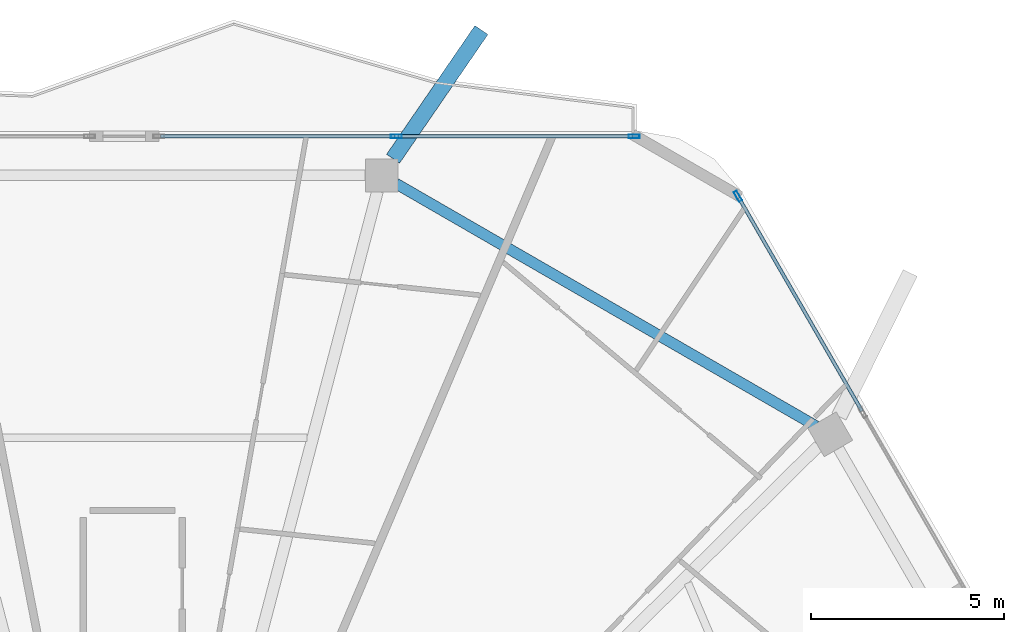
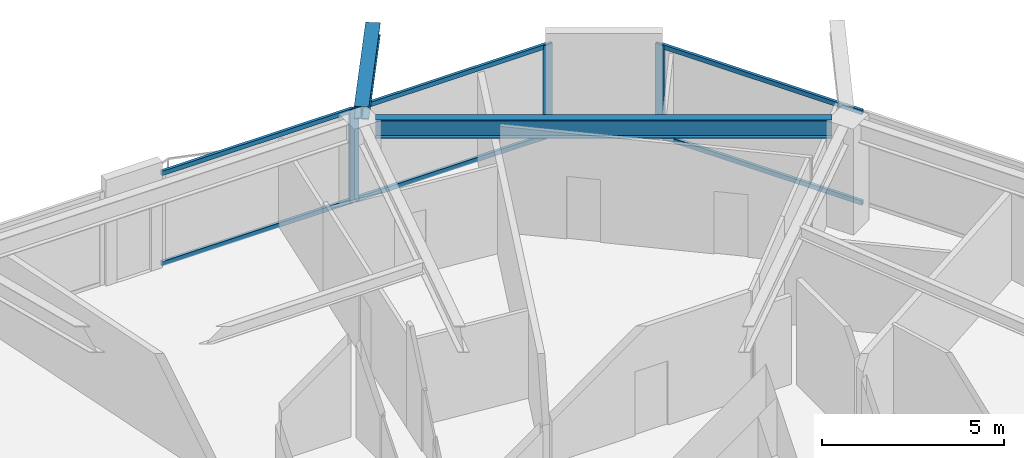
# One storey, part 17 of 26: 9 members, 2 beams, 2 elements without a shape of their own.
"""IFC4 building model written with IfcOpenShell, lengths in metres."""

import ifcopenshell
import ifcopenshell.guid

model = None  # the IFC model being written
_history = None  # IfcOwnerHistory: only IFC2X3 demands one
_inside = {}  # id of a spatial element -> (the spatial element, [elements in it])
_under = {}  # id of a project, library or spatial element -> (it, [spatial elements below it])
_declared = {}  # id of a project -> (the project, [libraries it declares])
_typed = {}  # id of a type object -> (the type object, [elements of that type])
_made_of = {}  # id of a material, layer set ... -> (it, [elements and type objects made of it])


def new_model(schema):
    """Start an empty IFC model of exactly this schema.

    Asked for "IFC4X3", IfcOpenShell would pick the latest addendum, in which some entities
    have other attributes; the version numbers below select the first issue.
    IFC2X3 requires an IfcOwnerHistory on every rooted entity: one is made here for all.
    """
    global model, _history
    if schema == "IFC4X3":
        model = ifcopenshell.file(schema_version=(4, 3, 0, 0))
    else:
        model = ifcopenshell.file(schema=schema)
    _inside.clear()
    _under.clear()
    _declared.clear()
    _typed.clear()
    _made_of.clear()
    _history = None
    if model.schema == "IFC2X3":
        org = make("IfcOrganization", Name="unknown")
        user = make(
            "IfcPersonAndOrganization",
            ThePerson=make("IfcPerson", FamilyName="unknown"),
            TheOrganization=org,
        )
        app = make(
            "IfcApplication",
            ApplicationDeveloper=org,
            Version="unknown",
            ApplicationFullName="unknown",
            ApplicationIdentifier="unknown",
        )
        _history = make(
            "IfcOwnerHistory",
            OwningUser=user,
            OwningApplication=app,
            ChangeAction="ADDED",
            CreationDate=0,
        )
    return model


def make(cls, **values):
    """One entity of the class cls with the attributes given. An attribute that is None is left unset."""
    return model.create_entity(
        cls, **{name: value for name, value in values.items() if value is not None}
    )


def rooted(cls, **values):
    """An entity with a GlobalId (a new one), such as an element, a storey or a relation."""
    return make(cls, GlobalId=ifcopenshell.guid.new(), OwnerHistory=_history, **values)


def si_unit(unit_type, name, prefix=None):
    """IfcSIUnit, for example si_unit("LENGTHUNIT", "METRE", prefix="MILLI")."""
    return make("IfcSIUnit", UnitType=unit_type, Prefix=prefix, Name=name)


def assignment(units):
    """IfcUnitAssignment: the units of a project."""
    return None if units is None else make("IfcUnitAssignment", Units=units)


def point(xyz):
    """IfcCartesianPoint."""
    return None if xyz is None else make("IfcCartesianPoint", Coordinates=xyz)


def direction(xyz):
    """IfcDirection."""
    return None if xyz is None else make("IfcDirection", DirectionRatios=xyz)


def frame(location, z_axis=None, x_axis=None):
    """IfcAxis2Placement3D, a coordinate frame: its origin and axes. An axis left out is left unset."""
    return make(
        "IfcAxis2Placement3D",
        Location=point(location),
        Axis=direction(z_axis),
        RefDirection=direction(x_axis),
    )


def frame_2d(location, x_axis=None):
    """IfcAxis2Placement2D, a coordinate frame in the plane: its origin and x axis."""
    return make(
        "IfcAxis2Placement2D", Location=point(location), RefDirection=direction(x_axis)
    )


def origin():
    """The frame at (0, 0, 0) with its axes left unset."""
    return frame((0.0, 0.0, 0.0))


def origin_2d():
    """The frame at (0, 0) in the plane with its x axis left unset."""
    return frame_2d((0.0, 0.0))


def place(relative_to, where):
    """IfcLocalPlacement: puts the frame where relative to a parent placement (None: the world)."""
    return make(
        "IfcLocalPlacement", PlacementRelTo=relative_to, RelativePlacement=where
    )


def context(
    kind, dimensions, precision=None, world=None, true_north=None, identifier=None
):
    """IfcGeometricRepresentationContext, for example the 3D "Model" context."""
    return make(
        "IfcGeometricRepresentationContext",
        ContextIdentifier=identifier,
        ContextType=kind,
        CoordinateSpaceDimension=dimensions,
        Precision=precision,
        WorldCoordinateSystem=world,
        TrueNorth=true_north,
    )


def subcontext(parent, identifier, kind, view, scale=None):
    """IfcGeometricRepresentationSubContext, for example "Body" below "Model"."""
    return make(
        "IfcGeometricRepresentationSubContext",
        ContextIdentifier=identifier,
        ContextType=kind,
        ParentContext=parent,
        TargetScale=scale,
        TargetView=view,
    )


def project(units=None, contexts=None):
    """IfcProject with its units and contexts."""
    return rooted(
        "IfcProject",
        Name="project",
        RepresentationContexts=contexts,
        UnitsInContext=assignment(units),
    )


def spatial(cls, under=None, at=None, **own):
    """A site, building, storey or space (cls), placed at a placement, below another one or the project."""
    s = rooted(cls, ObjectPlacement=at, **own)
    if under is not None:
        _under.setdefault(under.id(), (under, []))[1].append(s)
    return s


def profile(cls, at=None, kind="AREA", **sizes):
    """A parametric profile (cls). Its sizes go by their IFC names, for example OverallWidth=200.0."""
    return make(cls, ProfileType=kind, Position=at, **sizes)


def hollow_rectangle(**sizes):
    """IfcRectangleHollowProfileDef."""
    return profile("IfcRectangleHollowProfileDef", **sizes)


def i_section(**sizes):
    """IfcIShapeProfileDef."""
    return profile("IfcIShapeProfileDef", **sizes)


def extrude(swept, where, along, depth):
    """IfcExtrudedAreaSolid: the profile swept, set in the frame where, extruded along a direction by depth."""
    return make(
        "IfcExtrudedAreaSolid",
        SweptArea=swept,
        Position=where,
        ExtrudedDirection=direction(along),
        Depth=depth,
    )


def shape(context_of_items, identifier, shape_type, items):
    """IfcShapeRepresentation: the items that make up one representation, for example the "Body"."""
    return make(
        "IfcShapeRepresentation",
        ContextOfItems=context_of_items,
        RepresentationIdentifier=identifier,
        RepresentationType=shape_type,
        Items=items,
    )


def material(Name=None, Category=None):
    """IfcMaterial."""
    return make("IfcMaterial", Name=Name, Category=Category)


def material_profile(
    of_material, cross_section, Name=None, Category=None, Priority=None
):
    """IfcMaterialProfile: a cross section and its material."""
    return make(
        "IfcMaterialProfile",
        Name=Name,
        Material=of_material,
        Profile=cross_section,
        Priority=Priority,
        Category=Category,
    )


def profile_set(profiles, Name=None, composite=None):
    """IfcMaterialProfileSet."""
    return make(
        "IfcMaterialProfileSet",
        Name=Name,
        MaterialProfiles=profiles,
        CompositeProfile=composite,
    )


def made_of(thing, what):
    """Note that an element or type object is made of a material, layer set ...; save() writes the relation."""
    if what is not None:
        _made_of.setdefault(what.id(), (what, []))[1].append(thing)
    return thing


def type_object(cls, material=None, **own):
    """A type object (cls), such as IfcWallType, which elements share."""
    return made_of(rooted(cls, **own), material)


def element(
    cls,
    number,
    at=None,
    inside=None,
    cuts=None,
    type_object=None,
    material=None,
    context=None,
    identifier="Body",
    shape_type=None,
    held_by="IfcProductDefinitionShape",
    body=None,
    shapes=None,
    **own,
):
    """One element of the class cls, such as IfcWall. Its Tag is "e" and its number.

    at: its placement. inside: the storey or other place that contains it. cuts: it is an
    opening in that element (IfcRelVoidsElement). A single representation is given by context,
    identifier, shape_type and body (its items); several are given by shapes. held_by: the class
    of the entity that holds the representations. save() writes the other relations.
    """
    e = rooted(cls, Tag="e%d" % number, ObjectPlacement=at, **own)
    if body is not None:
        shapes = [shape(context, identifier, shape_type, body)]
    if shapes is not None:
        e.Representation = make(held_by, Representations=shapes)
    if inside is not None:
        _inside.setdefault(inside.id(), (inside, []))[1].append(e)
    if cuts is not None:
        rooted(
            "IfcRelVoidsElement", RelatingBuildingElement=cuts, RelatedOpeningElement=e
        )
    if type_object is not None:
        _typed.setdefault(type_object.id(), (type_object, []))[1].append(e)
    return made_of(e, material)


def aggregate(whole, parts):
    """IfcRelAggregates: a whole, such as a stair, and the parts it consists of."""
    return rooted("IfcRelAggregates", RelatingObject=whole, RelatedObjects=parts)


def save(model, path):
    """Write the relations noted so far, then the file.

    IfcRelAggregates (storeys below a building ...), IfcRelContainedInSpatialStructure (elements
    in a storey), IfcRelDefinesByType, IfcRelAssociatesMaterial and IfcRelDeclares: one each for
    every whole, place, type object, material and project.
    """
    for whole, parts in _under.values():
        aggregate(whole, parts)
    for where, things in _inside.values():
        rooted(
            "IfcRelContainedInSpatialStructure",
            RelatedElements=things,
            RelatingStructure=where,
        )
    for kind, things in _typed.values():
        rooted("IfcRelDefinesByType", RelatedObjects=things, RelatingType=kind)
    for what, things in _made_of.values():
        rooted("IfcRelAssociatesMaterial", RelatedObjects=things, RelatingMaterial=what)
    for by, libraries in _declared.values():
        rooted("IfcRelDeclares", RelatingContext=by, RelatedDefinitions=libraries)
    model.write(path)


model = new_model("IFC4")

# Units and contexts
model_context = context("Model", 3, precision=1e-05, world=origin(), true_north=direction((0.0, 1.0)))
body_context = subcontext(model_context, "Body", "Model", "MODEL_VIEW")
ifc_project = project(units=[si_unit("LENGTHUNIT", "METRE"), si_unit("AREAUNIT", "SQUARE_METRE"), si_unit("VOLUMEUNIT", "CUBIC_METRE"), si_unit("PLANEANGLEUNIT", "RADIAN"), si_unit("MASSUNIT", "GRAM", prefix="KILO")], contexts=[model_context])

# Site, building, storey
site_placement = place(None, origin())
site = spatial("IfcSite", under=ifc_project, at=site_placement, CompositionType="ELEMENT")
building_placement = place(site_placement, origin())
building = spatial("IfcBuilding", under=site, at=building_placement, Name="Zuhravey Tower", CompositionType="ELEMENT")
storey_placement = place(building_placement, frame((0.0, 0.0, 288.199951171875)))
storey = spatial("IfcBuildingStorey", under=building, at=storey_placement, Name="L73", CompositionType="ELEMENT", Elevation=288.199951171875)

# Curtain wall, members
ifc_material_1 = material(Name="Thermally broken anodised aluminium", Category="aluminium")
curtain_wall_type = type_object("IfcCurtainWallType", Name="Zone 3-4 High-Rise Curtain Wall CW4", PredefinedType="NOTDEFINED", material=ifc_material_1)
curtain_wall_1_placement = place(storey_placement, origin())
curtain_wall_1 = element("IfcCurtainWall", 1, at=curtain_wall_1_placement, inside=storey, type_object=curtain_wall_type, Name="L73 CW4 CW-L73-F2-2", PredefinedType="NOTDEFINED")
ifc_material_2 = material(Name="Anodised aluminium", Category="aluminium")
ifc_material_profile_1 = material_profile(ifc_material_2, hollow_rectangle(XDim=0.090087890625, YDim=0.284912109375, WallThickness=0.0048828125, at=origin_2d()), Name="ALU-RHS-90x285x5")
ifc_profile_set_1 = profile_set([ifc_material_profile_1], Name="Anodised aluminium")
member_type_1 = type_object("IfcMemberType", Name="Curtain-Wall Mullion 90x180", PredefinedType="MULLION", material=ifc_profile_set_1)
member_1_placement = place(storey_placement, frame((42.822021484375, 57.563720703125, 0.0), z_axis=(0.0, 0.0, 1.0), x_axis=(0.0, 1.0, 0.0)))
member_1 = element("IfcMember", 2, at=member_1_placement, type_object=member_type_1, Name="CW4 mullion 2", PredefinedType="MULLION", context=body_context, shape_type="SweptSolid", body=[
    extrude(hollow_rectangle(XDim=0.090087890625, YDim=0.284912109375, WallThickness=0.0048828125, at=origin_2d()), origin(), (0.0, 0.0, 1.0), 3.1220703125),
])
member_2_placement = place(storey_placement, frame((48.9677734375, 57.563720703125, 0.0), z_axis=(0.0, 0.0, 1.0), x_axis=(0.0, 1.0, 0.0)))
member_2 = element("IfcMember", 3, at=member_2_placement, type_object=member_type_1, Name="CW4 mullion 3", PredefinedType="MULLION", context=body_context, shape_type="SweptSolid", body=[
    extrude(hollow_rectangle(XDim=0.090087890625, YDim=0.284912109375, WallThickness=0.0048828125, at=origin_2d()), origin(), (0.0, 0.0, 1.0), 3.1220703125),
])

# Curtain wall, member
curtain_wall_2_placement = place(storey_placement, origin())
curtain_wall_2 = element("IfcCurtainWall", 4, at=curtain_wall_2_placement, inside=storey, type_object=curtain_wall_type, Name="L73 CW4 CW-L73-F1-1", PredefinedType="NOTDEFINED")
member_3_placement = place(storey_placement, frame((51.65478515625, 56.01220703125, 0.0), z_axis=(0.0, 0.0, 1.0), x_axis=(0.866024851021, 0.500000957414, 0.0)))
member_3 = element("IfcMember", 5, at=member_3_placement, type_object=member_type_1, Name="CW4 mullion 1", PredefinedType="MULLION", context=body_context, shape_type="SweptSolid", body=[
    extrude(hollow_rectangle(XDim=0.090087890625, YDim=0.284912109375, WallThickness=0.0048828125, at=origin_2d()), origin(), (0.0, 0.0, 1.0), 3.1220703125),
])

# Member
ifc_material_profile_2 = material_profile(ifc_material_2, hollow_rectangle(XDim=0.090087890625, YDim=0.14990234375, WallThickness=0.0048828125, at=origin_2d()), Name="ALU-RHS-90x150x5")
ifc_profile_set_2 = profile_set([ifc_material_profile_2], Name="Anodised aluminium")
member_type_2 = type_object("IfcMemberType", Name="Curtain-Wall Transom 90x150", PredefinedType="USERDEFINED", material=ifc_profile_set_2)
member_4_placement = place(storey_placement, frame((36.72119140625, 57.563720703125, 0.045166015625), z_axis=(1.0, 0.0, 0.0), x_axis=(0.0, 1.0, 0.0)))
member_4 = element("IfcMember", 6, at=member_4_placement, type_object=member_type_2, Name="CW4 transom 1.1", ObjectType="TRANSOM", PredefinedType="USERDEFINED", context=body_context, shape_type="SweptSolid", body=[
    extrude(hollow_rectangle(XDim=0.090087890625, YDim=0.14990234375, WallThickness=0.0048828125, at=origin_2d()), origin(), (0.0, 0.0, 1.0), 6.0556640625),
])

member_5_placement = place(storey_placement, frame((36.72119140625, 57.563720703125, 3.0771484375), z_axis=(1.0, 0.0, 0.0), x_axis=(0.0, 1.0, 0.0)))
member_5 = element("IfcMember", 7, at=member_5_placement, type_object=member_type_2, Name="CW4 transom 1.2", ObjectType="TRANSOM", PredefinedType="USERDEFINED", context=body_context, shape_type="SweptSolid", body=[
    extrude(hollow_rectangle(XDim=0.090087890625, YDim=0.14990234375, WallThickness=0.0048828125, at=origin_2d()), origin(), (0.0, 0.0, 1.0), 6.0556640625),
])

member_6_placement = place(storey_placement, frame((42.866943359375, 57.563720703125, 0.045166015625), z_axis=(1.0, 0.0, 0.0), x_axis=(0.0, 1.0, 0.0)))
member_6 = element("IfcMember", 8, at=member_6_placement, type_object=member_type_2, Name="CW4 transom 2.1", ObjectType="TRANSOM", PredefinedType="USERDEFINED", context=body_context, shape_type="SweptSolid", body=[
    extrude(hollow_rectangle(XDim=0.090087890625, YDim=0.14990234375, WallThickness=0.0048828125, at=origin_2d()), origin(), (0.0, 0.0, 1.0), 6.0556640625),
])

member_7_placement = place(storey_placement, frame((42.866943359375, 57.563720703125, 3.0771484375), z_axis=(1.0, 0.0, 0.0), x_axis=(0.0, 1.0, 0.0)))
member_7 = element("IfcMember", 9, at=member_7_placement, type_object=member_type_2, Name="CW4 transom 2.2", ObjectType="TRANSOM", PredefinedType="USERDEFINED", context=body_context, shape_type="SweptSolid", body=[
    extrude(hollow_rectangle(XDim=0.090087890625, YDim=0.14990234375, WallThickness=0.0048828125, at=origin_2d()), origin(), (0.0, 0.0, 1.0), 6.0556640625),
])

aggregate(curtain_wall_1, [member_1, member_2, member_4, member_5, member_6, member_7])

member_8_placement = place(storey_placement, frame((51.677490234375, 55.97314453125, 0.045166015625), z_axis=(0.499980071345, -0.866036909293, 0.0), x_axis=(0.866036909293, 0.499980071345, 0.0)))
member_8 = element("IfcMember", 10, at=member_8_placement, type_object=member_type_2, Name="CW4 transom 1.1", ObjectType="TRANSOM", PredefinedType="USERDEFINED", context=body_context, shape_type="SweptSolid", body=[
    extrude(hollow_rectangle(XDim=0.090087890625, YDim=0.14990234375, WallThickness=0.0048828125, at=origin_2d()), origin(), (0.0, 0.0, 1.0), 6.371337890625),
])

member_9_placement = place(storey_placement, frame((51.677490234375, 55.97314453125, 3.0771484375), z_axis=(0.499980071345, -0.866036909293, 0.0), x_axis=(0.866036909293, 0.499980071345, 0.0)))
member_9 = element("IfcMember", 11, at=member_9_placement, type_object=member_type_2, Name="CW4 transom 1.2", ObjectType="TRANSOM", PredefinedType="USERDEFINED", context=body_context, shape_type="SweptSolid", body=[
    extrude(hollow_rectangle(XDim=0.090087890625, YDim=0.14990234375, WallThickness=0.0048828125, at=origin_2d()), origin(), (0.0, 0.0, 1.0), 6.371337890625),
])

aggregate(curtain_wall_2, [member_3, member_8, member_9])

# Beams
ifc_material_3 = material(Name="Steel SM460", Category="steel")
ifc_material_profile_3 = material_profile(ifc_material_3, i_section(OverallWidth=0.406982421875, OverallDepth=0.427978515625, WebThickness=0.02001953125, FlangeThickness=0.034912109375, at=origin_2d()), Name="H-428x407x20x35")
ifc_profile_set_3 = profile_set([ifc_material_profile_3], Name="Steel SM460")
beam_type_1 = type_object("IfcBeamType", Name="Exoskeleton Node Tie Beam H428x407", PredefinedType="BEAM", material=ifc_profile_set_3)
beam_1_placement = place(storey_placement, frame((42.73486328125, 56.98193359375, 3.3359375), z_axis=(0.565977066696, 0.824420984676, 0.0), x_axis=(-0.824420984676, 0.565977066696, 0.0)))
element("IfcBeam", 12, at=beam_1_placement, inside=storey, type_object=beam_type_1, Name="L73 Exoskeleton Node Tie NT1-03", PredefinedType="BEAM", context=body_context, shape_type="SweptSolid", body=[
    extrude(i_section(OverallWidth=0.406982421875, OverallDepth=0.427978515625, WebThickness=0.02001953125, FlangeThickness=0.034912109375, at=origin_2d()), origin(), (0.0, 0.0, 1.0), 4.038330078125),
])
ifc_material_4 = material(Name="Steel SM355", Category="steel")
ifc_material_profile_4 = material_profile(ifc_material_4, i_section(OverallWidth=0.280029296875, OverallDepth=0.6201171875, WebThickness=0.011962890625, FlangeThickness=0.02001953125, at=origin_2d()), Name="H-620x280x12x20")
ifc_profile_set_4 = profile_set([ifc_material_profile_4], Name="Steel SM355")
beam_type_2 = type_object("IfcBeamType", Name="Perimeter Ring Beam H620x280", PredefinedType="BEAM", material=ifc_profile_set_4)
beam_2_placement = place(storey_placement, frame((53.6728515625, 50.068603515625, 3.239990234375), z_axis=(-0.866018312875, 0.500012281615, 0.0), x_axis=(-0.500012281615, -0.866018312875, 0.0)))
element("IfcBeam", 13, at=beam_2_placement, inside=storey, type_object=beam_type_2, Name="L73 PB3 BM-L73-PB-02", PredefinedType="BEAM", context=body_context, shape_type="SweptSolid", body=[
    extrude(i_section(OverallWidth=0.280029296875, OverallDepth=0.6201171875, WebThickness=0.011962890625, FlangeThickness=0.02001953125, at=origin_2d()), origin(), (0.0, 0.0, 1.0), 12.541748046875),
])

save(model, "model.ifc")
